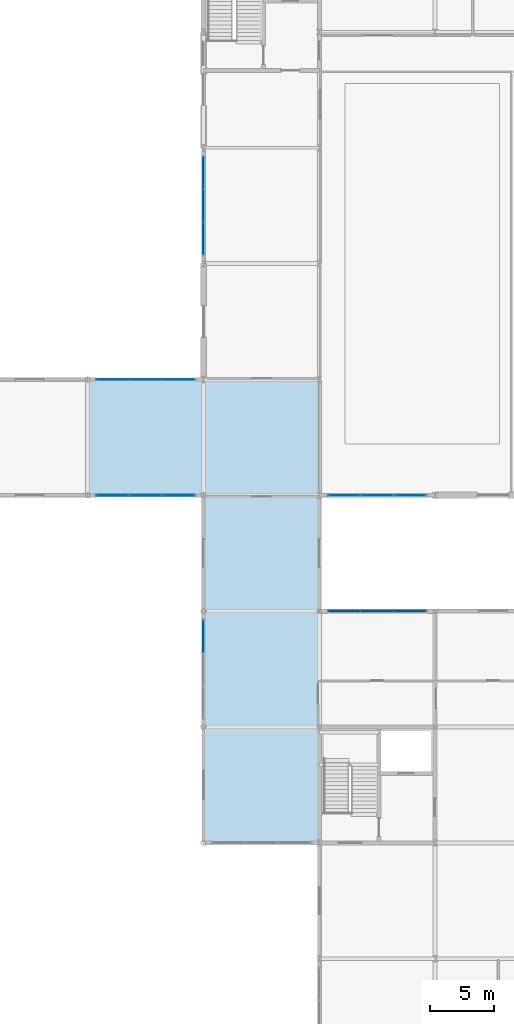
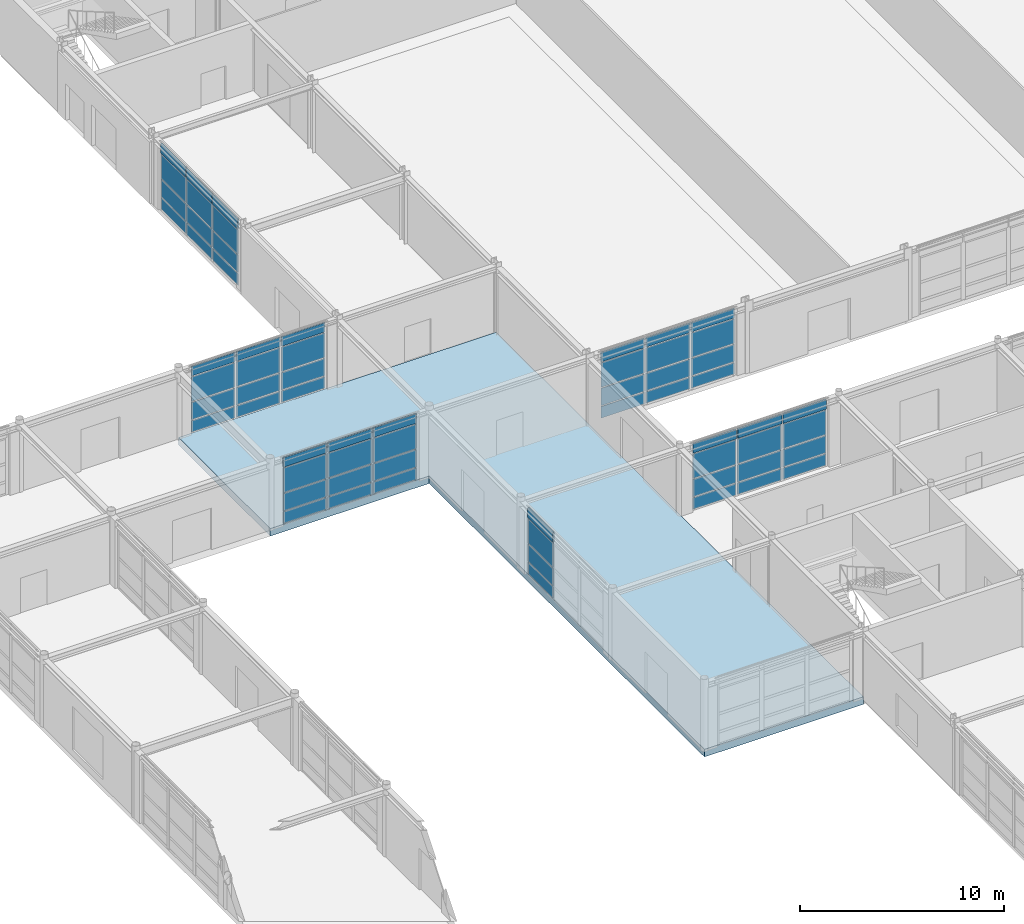
# One storey, part 50 of 72: 64 plates, 1 slab, 6 elements without a shape of their own.
"""IFC4 building model written with IfcOpenShell, lengths in metres."""

from ifc_helpers import new_model, si_unit, direction, frame, origin, origin_2d, place, context, subcontext, project, spatial, polyline, rectangle, outline, extrude, material, layer, layer_set, type_object, element, aggregate, save


model = new_model("IFC4")

# Units and contexts
model_context = context("Model", 3, precision=1e-05, world=origin(), true_north=direction((0.0, 1.0)))
body_context = subcontext(model_context, "Body", "Model", "MODEL_VIEW")
ifc_project = project(units=[si_unit("LENGTHUNIT", "METRE"), si_unit("AREAUNIT", "SQUARE_METRE"), si_unit("VOLUMEUNIT", "CUBIC_METRE"), si_unit("PLANEANGLEUNIT", "RADIAN"), si_unit("MASSUNIT", "GRAM", prefix="KILO")], contexts=[model_context])

# Site, building, storey
site_placement = place(None, origin())
site = spatial("IfcSite", under=ifc_project, at=site_placement, CompositionType="ELEMENT")
building_placement = place(site_placement, origin())
building = spatial("IfcBuilding", under=site, at=building_placement, Name="Palais des Congres Ocreval", CompositionType="ELEMENT")
storey_placement = place(building_placement, origin())
storey = spatial("IfcBuildingStorey", under=building, at=storey_placement, Name="L00", CompositionType="ELEMENT", Elevation=0.0)

# Curtain wall, plates
ifc_material_1 = material(Name="Anodized bronze aluminium and low-E glass", Category="glass")
curtain_wall_type = type_object("IfcCurtainWallType", Name="Unitised Curtain Wall 7900x4060", PredefinedType="USERDEFINED", material=ifc_material_1)
curtain_wall_1_placement = place(storey_placement, origin())
curtain_wall_1 = element("IfcCurtainWall", 1, at=curtain_wall_1_placement, inside=storey, type_object=curtain_wall_type, Name="Unitised Curtain Wall CW01 L00", ObjectType="UNITISED CURTAIN WALL", PredefinedType="USERDEFINED")
ifc_material_2 = material(Name="Acoustic triple glazing", Category="glass")
ifc_layer_1 = layer(ifc_material_2, 0.0439453125)
ifc_layer_set_1 = layer_set([ifc_layer_1], Name="Acoustic Laminated Glazing Panel 44 (Acoustic triple glazing)")
plate_type_1 = type_object("IfcPlateType", Name="Acoustic Laminated Glazing Panel 44", PredefinedType="CURTAIN_PANEL", material=ifc_layer_set_1)
plate_1_placement = place(storey_placement, frame((97.0478515625, 72.0, 0.06005859375), z_axis=(0.0, 0.0, 1.0), x_axis=(-1.0, 0.0, 0.0)))
plate_1 = element("IfcPlate", 2, at=plate_1_placement, type_object=plate_type_1, Name="Vision Glazing Panel VP02", PredefinedType="CURTAIN_PANEL", context=body_context, shape_type="SweptSolid", body=[
    extrude(rectangle(XDim=2.4541015625, YDim=0.0439453125, at=origin_2d()), origin(), (0.0, 0.0, 1.0), 0.68994140625),
])
plate_2_placement = place(storey_placement, frame((97.0478515625, 72.0, 0.81005859375), z_axis=(0.0, 0.0, 1.0), x_axis=(-1.0, 0.0, 0.0)))
plate_2 = element("IfcPlate", 3, at=plate_2_placement, type_object=plate_type_1, Name="Vision Glazing Panel VP02", PredefinedType="CURTAIN_PANEL", context=body_context, shape_type="SweptSolid", body=[
    extrude(rectangle(XDim=2.4541015625, YDim=0.0439453125, at=origin_2d()), origin(), (0.0, 0.0, 1.0), 1.03271484375),
])
plate_3_placement = place(storey_placement, frame((97.0478515625, 72.0, 1.90283203125), z_axis=(0.0, 0.0, 1.0), x_axis=(-1.0, 0.0, 0.0)))
plate_3 = element("IfcPlate", 4, at=plate_3_placement, type_object=plate_type_1, Name="Vision Glazing Panel VP02", PredefinedType="CURTAIN_PANEL", context=body_context, shape_type="SweptSolid", body=[
    extrude(rectangle(XDim=2.4541015625, YDim=0.0439453125, at=origin_2d()), origin(), (0.0, 0.0, 1.0), 1.47216796875),
])
plate_4_placement = place(storey_placement, frame((94.5, 72.0, 0.06005859375), z_axis=(0.0, 0.0, 1.0), x_axis=(-1.0, 0.0, 0.0)))
plate_4 = element("IfcPlate", 5, at=plate_4_placement, type_object=plate_type_1, Name="Vision Glazing Panel VP02", PredefinedType="CURTAIN_PANEL", context=body_context, shape_type="SweptSolid", body=[
    extrude(rectangle(XDim=2.49169921875, YDim=0.0439453125, at=origin_2d()), origin(), (0.0, 0.0, 1.0), 0.68994140625),
])
plate_5_placement = place(storey_placement, frame((94.5, 72.0, 0.81005859375), z_axis=(0.0, 0.0, 1.0), x_axis=(-1.0, 0.0, 0.0)))
plate_5 = element("IfcPlate", 6, at=plate_5_placement, type_object=plate_type_1, Name="Vision Glazing Panel VP02", PredefinedType="CURTAIN_PANEL", context=body_context, shape_type="SweptSolid", body=[
    extrude(rectangle(XDim=2.49169921875, YDim=0.0439453125, at=origin_2d()), origin(), (0.0, 0.0, 1.0), 1.03271484375),
])
plate_6_placement = place(storey_placement, frame((94.5, 72.0, 1.90283203125), z_axis=(0.0, 0.0, 1.0), x_axis=(-1.0, 0.0, 0.0)))
plate_6 = element("IfcPlate", 7, at=plate_6_placement, type_object=plate_type_1, Name="Vision Glazing Panel VP02", PredefinedType="CURTAIN_PANEL", context=body_context, shape_type="SweptSolid", body=[
    extrude(rectangle(XDim=2.49169921875, YDim=0.0439453125, at=origin_2d()), origin(), (0.0, 0.0, 1.0), 1.47216796875),
])
plate_7_placement = place(storey_placement, frame((91.9521484375, 72.0, 0.06005859375), z_axis=(0.0, 0.0, 1.0), x_axis=(-1.0, 0.0, 0.0)))
plate_7 = element("IfcPlate", 8, at=plate_7_placement, type_object=plate_type_1, Name="Vision Glazing Panel VP02", PredefinedType="CURTAIN_PANEL", context=body_context, shape_type="SweptSolid", body=[
    extrude(rectangle(XDim=2.4541015625, YDim=0.0439453125, at=origin_2d()), origin(), (0.0, 0.0, 1.0), 0.68994140625),
])
plate_8_placement = place(storey_placement, frame((91.9521484375, 72.0, 0.81005859375), z_axis=(0.0, 0.0, 1.0), x_axis=(-1.0, 0.0, 0.0)))
plate_8 = element("IfcPlate", 9, at=plate_8_placement, type_object=plate_type_1, Name="Vision Glazing Panel VP02", PredefinedType="CURTAIN_PANEL", context=body_context, shape_type="SweptSolid", body=[
    extrude(rectangle(XDim=2.4541015625, YDim=0.0439453125, at=origin_2d()), origin(), (0.0, 0.0, 1.0), 1.03271484375),
])
plate_9_placement = place(storey_placement, frame((91.9521484375, 72.0, 1.90283203125), z_axis=(0.0, 0.0, 1.0), x_axis=(-1.0, 0.0, 0.0)))
plate_9 = element("IfcPlate", 10, at=plate_9_placement, type_object=plate_type_1, Name="Vision Glazing Panel VP02", PredefinedType="CURTAIN_PANEL", context=body_context, shape_type="SweptSolid", body=[
    extrude(rectangle(XDim=2.4541015625, YDim=0.0439453125, at=origin_2d()), origin(), (0.0, 0.0, 1.0), 1.47216796875),
])

curtain_wall_2_placement = place(storey_placement, origin())
curtain_wall_2 = element("IfcCurtainWall", 11, at=curtain_wall_2_placement, inside=storey, type_object=curtain_wall_type, Name="Unitised Curtain Wall CW01 L00", ObjectType="UNITISED CURTAIN WALL", PredefinedType="USERDEFINED")
ifc_material_3 = material(Name="Anodized bronze aluminium", Category="aluminium")
ifc_layer_2 = layer(ifc_material_3, 0.06005859375)
ifc_layer_set_2 = layer_set([ifc_layer_2], Name="Anodized Bronze Spandrel Cassette 60 (Anodized bronze aluminium)")
plate_type_2 = type_object("IfcPlateType", Name="Anodized Bronze Spandrel Cassette 60", PredefinedType="SHEET", material=ifc_layer_set_2)
plate_10_placement = place(storey_placement, frame((91.9521484375, 81.0, 3.43505859375), z_axis=(0.0, 0.0, 1.0), x_axis=(1.0, 0.0, 0.0)))
plate_10 = element("IfcPlate", 12, at=plate_10_placement, type_object=plate_type_2, Name="Spandrel Sheet SPN1", PredefinedType="SHEET", context=body_context, shape_type="SweptSolid", body=[
    extrude(rectangle(XDim=2.4541015625, YDim=0.06005859375, at=origin_2d()), origin(), (0.0, 0.0, 1.0), 0.56005859375),
])
plate_11_placement = place(storey_placement, frame((94.5, 81.0, 3.43505859375), z_axis=(0.0, 0.0, 1.0), x_axis=(1.0, 0.0, 0.0)))
plate_11 = element("IfcPlate", 13, at=plate_11_placement, type_object=plate_type_2, Name="Spandrel Sheet SPN1", PredefinedType="SHEET", context=body_context, shape_type="SweptSolid", body=[
    extrude(rectangle(XDim=2.49169921875, YDim=0.06005859375, at=origin_2d()), origin(), (0.0, 0.0, 1.0), 0.56005859375),
])
plate_12_placement = place(storey_placement, frame((97.0478515625, 81.0, 3.43505859375), z_axis=(0.0, 0.0, 1.0), x_axis=(1.0, 0.0, 0.0)))
plate_12 = element("IfcPlate", 14, at=plate_12_placement, type_object=plate_type_2, Name="Spandrel Sheet SPN1", PredefinedType="SHEET", context=body_context, shape_type="SweptSolid", body=[
    extrude(rectangle(XDim=2.4541015625, YDim=0.06005859375, at=origin_2d()), origin(), (0.0, 0.0, 1.0), 0.56005859375),
])

curtain_wall_3_placement = place(storey_placement, origin())
curtain_wall_3 = element("IfcCurtainWall", 15, at=curtain_wall_3_placement, inside=storey, type_object=curtain_wall_type, Name="Unitised Curtain Wall CW01 L00", ObjectType="UNITISED CURTAIN WALL", PredefinedType="USERDEFINED")
plate_13_placement = place(storey_placement, frame((115.0478515625, 72.0, 3.43505859375), z_axis=(0.0, 0.0, 1.0), x_axis=(-1.0, 0.0, 0.0)))
plate_13 = element("IfcPlate", 16, at=plate_13_placement, type_object=plate_type_2, Name="Spandrel Sheet SPN1", PredefinedType="SHEET", context=body_context, shape_type="SweptSolid", body=[
    extrude(rectangle(XDim=2.4541015625, YDim=0.06005859375, at=origin_2d()), origin(), (0.0, 0.0, 1.0), 0.56005859375),
])
plate_14_placement = place(storey_placement, frame((112.5, 72.0, 3.43505859375), z_axis=(0.0, 0.0, 1.0), x_axis=(-1.0, 0.0, 0.0)))
plate_14 = element("IfcPlate", 17, at=plate_14_placement, type_object=plate_type_2, Name="Spandrel Sheet SPN1", PredefinedType="SHEET", context=body_context, shape_type="SweptSolid", body=[
    extrude(rectangle(XDim=2.49169921875, YDim=0.06005859375, at=origin_2d()), origin(), (0.0, 0.0, 1.0), 0.56005859375),
])
plate_15_placement = place(storey_placement, frame((109.9521484375, 72.0, 3.43505859375), z_axis=(0.0, 0.0, 1.0), x_axis=(-1.0, 0.0, 0.0)))
plate_15 = element("IfcPlate", 18, at=plate_15_placement, type_object=plate_type_2, Name="Spandrel Sheet SPN1", PredefinedType="SHEET", context=body_context, shape_type="SweptSolid", body=[
    extrude(rectangle(XDim=2.4541015625, YDim=0.06005859375, at=origin_2d()), origin(), (0.0, 0.0, 1.0), 0.56005859375),
])

# Plate
plate_16_placement = place(storey_placement, frame((97.0478515625, 72.0, 3.43505859375), z_axis=(0.0, 0.0, 1.0), x_axis=(-1.0, 0.0, 0.0)))
plate_16 = element("IfcPlate", 19, at=plate_16_placement, type_object=plate_type_2, Name="Spandrel Sheet SPN1", PredefinedType="SHEET", context=body_context, shape_type="SweptSolid", body=[
    extrude(rectangle(XDim=2.4541015625, YDim=0.06005859375, at=origin_2d()), origin(), (0.0, 0.0, 1.0), 0.56005859375),
])

plate_17_placement = place(storey_placement, frame((94.5, 72.0, 3.43505859375), z_axis=(0.0, 0.0, 1.0), x_axis=(-1.0, 0.0, 0.0)))
plate_17 = element("IfcPlate", 20, at=plate_17_placement, type_object=plate_type_2, Name="Spandrel Sheet SPN1", PredefinedType="SHEET", context=body_context, shape_type="SweptSolid", body=[
    extrude(rectangle(XDim=2.49169921875, YDim=0.06005859375, at=origin_2d()), origin(), (0.0, 0.0, 1.0), 0.56005859375),
])

plate_18_placement = place(storey_placement, frame((91.9521484375, 72.0, 3.43505859375), z_axis=(0.0, 0.0, 1.0), x_axis=(-1.0, 0.0, 0.0)))
plate_18 = element("IfcPlate", 21, at=plate_18_placement, type_object=plate_type_2, Name="Spandrel Sheet SPN1", PredefinedType="SHEET", context=body_context, shape_type="SweptSolid", body=[
    extrude(rectangle(XDim=2.4541015625, YDim=0.06005859375, at=origin_2d()), origin(), (0.0, 0.0, 1.0), 0.56005859375),
])

aggregate(curtain_wall_1, [plate_1, plate_2, plate_3, plate_16, plate_4, plate_5, plate_6, plate_17, plate_7, plate_8, plate_9, plate_18])

ifc_material_4 = material(Name="Low-E solar-control double glazing", Category="glass")
ifc_layer_3 = layer(ifc_material_4, 0.031982421875)
ifc_layer_set_3 = layer_set([ifc_layer_3], Name="Galleria Clear Vision Panel 32 (Low-E solar-control double glazing)")
plate_type_3 = type_object("IfcPlateType", Name="Galleria Clear Vision Panel 32", PredefinedType="CURTAIN_PANEL", material=ifc_layer_set_3)
plate_19_placement = place(storey_placement, frame((91.9521484375, 81.0, 0.06005859375), z_axis=(0.0, 0.0, 1.0), x_axis=(1.0, 0.0, 0.0)))
plate_19 = element("IfcPlate", 22, at=plate_19_placement, type_object=plate_type_3, Name="Vision Glazing Panel VP03", PredefinedType="CURTAIN_PANEL", context=body_context, shape_type="SweptSolid", body=[
    extrude(rectangle(XDim=2.4541015625, YDim=0.031982421875, at=origin_2d()), origin(), (0.0, 0.0, 1.0), 0.68994140625),
])

plate_20_placement = place(storey_placement, frame((91.9521484375, 81.0, 0.81005859375), z_axis=(0.0, 0.0, 1.0), x_axis=(1.0, 0.0, 0.0)))
plate_20 = element("IfcPlate", 23, at=plate_20_placement, type_object=plate_type_3, Name="Vision Glazing Panel VP03", PredefinedType="CURTAIN_PANEL", context=body_context, shape_type="SweptSolid", body=[
    extrude(rectangle(XDim=2.4541015625, YDim=0.031982421875, at=origin_2d()), origin(), (0.0, 0.0, 1.0), 1.03271484375),
])

plate_21_placement = place(storey_placement, frame((91.9521484375, 81.0, 1.90283203125), z_axis=(0.0, 0.0, 1.0), x_axis=(1.0, 0.0, 0.0)))
plate_21 = element("IfcPlate", 24, at=plate_21_placement, type_object=plate_type_3, Name="Vision Glazing Panel VP03", PredefinedType="CURTAIN_PANEL", context=body_context, shape_type="SweptSolid", body=[
    extrude(rectangle(XDim=2.4541015625, YDim=0.031982421875, at=origin_2d()), origin(), (0.0, 0.0, 1.0), 1.47216796875),
])

plate_22_placement = place(storey_placement, frame((94.5, 81.0, 0.06005859375), z_axis=(0.0, 0.0, 1.0), x_axis=(1.0, 0.0, 0.0)))
plate_22 = element("IfcPlate", 25, at=plate_22_placement, type_object=plate_type_3, Name="Vision Glazing Panel VP03", PredefinedType="CURTAIN_PANEL", context=body_context, shape_type="SweptSolid", body=[
    extrude(rectangle(XDim=2.49169921875, YDim=0.031982421875, at=origin_2d()), origin(), (0.0, 0.0, 1.0), 0.68994140625),
])

plate_23_placement = place(storey_placement, frame((94.5, 81.0, 0.81005859375), z_axis=(0.0, 0.0, 1.0), x_axis=(1.0, 0.0, 0.0)))
plate_23 = element("IfcPlate", 26, at=plate_23_placement, type_object=plate_type_3, Name="Vision Glazing Panel VP03", PredefinedType="CURTAIN_PANEL", context=body_context, shape_type="SweptSolid", body=[
    extrude(rectangle(XDim=2.49169921875, YDim=0.031982421875, at=origin_2d()), origin(), (0.0, 0.0, 1.0), 1.03271484375),
])

plate_24_placement = place(storey_placement, frame((94.5, 81.0, 1.90283203125), z_axis=(0.0, 0.0, 1.0), x_axis=(1.0, 0.0, 0.0)))
plate_24 = element("IfcPlate", 27, at=plate_24_placement, type_object=plate_type_3, Name="Vision Glazing Panel VP03", PredefinedType="CURTAIN_PANEL", context=body_context, shape_type="SweptSolid", body=[
    extrude(rectangle(XDim=2.49169921875, YDim=0.031982421875, at=origin_2d()), origin(), (0.0, 0.0, 1.0), 1.47216796875),
])

plate_25_placement = place(storey_placement, frame((97.0478515625, 81.0, 0.06005859375), z_axis=(0.0, 0.0, 1.0), x_axis=(1.0, 0.0, 0.0)))
plate_25 = element("IfcPlate", 28, at=plate_25_placement, type_object=plate_type_3, Name="Vision Glazing Panel VP03", PredefinedType="CURTAIN_PANEL", context=body_context, shape_type="SweptSolid", body=[
    extrude(rectangle(XDim=2.4541015625, YDim=0.031982421875, at=origin_2d()), origin(), (0.0, 0.0, 1.0), 0.68994140625),
])

plate_26_placement = place(storey_placement, frame((97.0478515625, 81.0, 0.81005859375), z_axis=(0.0, 0.0, 1.0), x_axis=(1.0, 0.0, 0.0)))
plate_26 = element("IfcPlate", 29, at=plate_26_placement, type_object=plate_type_3, Name="Vision Glazing Panel VP03", PredefinedType="CURTAIN_PANEL", context=body_context, shape_type="SweptSolid", body=[
    extrude(rectangle(XDim=2.4541015625, YDim=0.031982421875, at=origin_2d()), origin(), (0.0, 0.0, 1.0), 1.03271484375),
])

plate_27_placement = place(storey_placement, frame((97.0478515625, 81.0, 1.90283203125), z_axis=(0.0, 0.0, 1.0), x_axis=(1.0, 0.0, 0.0)))
plate_27 = element("IfcPlate", 30, at=plate_27_placement, type_object=plate_type_3, Name="Vision Glazing Panel VP03", PredefinedType="CURTAIN_PANEL", context=body_context, shape_type="SweptSolid", body=[
    extrude(rectangle(XDim=2.4541015625, YDim=0.031982421875, at=origin_2d()), origin(), (0.0, 0.0, 1.0), 1.47216796875),
])

aggregate(curtain_wall_2, [plate_19, plate_20, plate_21, plate_10, plate_22, plate_23, plate_24, plate_11, plate_25, plate_26, plate_27, plate_12])

plate_28_placement = place(storey_placement, frame((115.0478515625, 72.0, 0.06005859375), z_axis=(0.0, 0.0, 1.0), x_axis=(-1.0, 0.0, 0.0)))
plate_28 = element("IfcPlate", 31, at=plate_28_placement, type_object=plate_type_3, Name="Vision Glazing Panel VP03", PredefinedType="CURTAIN_PANEL", context=body_context, shape_type="SweptSolid", body=[
    extrude(rectangle(XDim=2.4541015625, YDim=0.031982421875, at=origin_2d()), origin(), (0.0, 0.0, 1.0), 0.68994140625),
])

plate_29_placement = place(storey_placement, frame((115.0478515625, 72.0, 0.81005859375), z_axis=(0.0, 0.0, 1.0), x_axis=(-1.0, 0.0, 0.0)))
plate_29 = element("IfcPlate", 32, at=plate_29_placement, type_object=plate_type_3, Name="Vision Glazing Panel VP03", PredefinedType="CURTAIN_PANEL", context=body_context, shape_type="SweptSolid", body=[
    extrude(rectangle(XDim=2.4541015625, YDim=0.031982421875, at=origin_2d()), origin(), (0.0, 0.0, 1.0), 1.03271484375),
])

plate_30_placement = place(storey_placement, frame((115.0478515625, 72.0, 1.90283203125), z_axis=(0.0, 0.0, 1.0), x_axis=(-1.0, 0.0, 0.0)))
plate_30 = element("IfcPlate", 33, at=plate_30_placement, type_object=plate_type_3, Name="Vision Glazing Panel VP03", PredefinedType="CURTAIN_PANEL", context=body_context, shape_type="SweptSolid", body=[
    extrude(rectangle(XDim=2.4541015625, YDim=0.031982421875, at=origin_2d()), origin(), (0.0, 0.0, 1.0), 1.47216796875),
])

plate_31_placement = place(storey_placement, frame((112.5, 72.0, 0.06005859375), z_axis=(0.0, 0.0, 1.0), x_axis=(-1.0, 0.0, 0.0)))
plate_31 = element("IfcPlate", 34, at=plate_31_placement, type_object=plate_type_3, Name="Vision Glazing Panel VP03", PredefinedType="CURTAIN_PANEL", context=body_context, shape_type="SweptSolid", body=[
    extrude(rectangle(XDim=2.49169921875, YDim=0.031982421875, at=origin_2d()), origin(), (0.0, 0.0, 1.0), 0.68994140625),
])

plate_32_placement = place(storey_placement, frame((112.5, 72.0, 0.81005859375), z_axis=(0.0, 0.0, 1.0), x_axis=(-1.0, 0.0, 0.0)))
plate_32 = element("IfcPlate", 35, at=plate_32_placement, type_object=plate_type_3, Name="Vision Glazing Panel VP03", PredefinedType="CURTAIN_PANEL", context=body_context, shape_type="SweptSolid", body=[
    extrude(rectangle(XDim=2.49169921875, YDim=0.031982421875, at=origin_2d()), origin(), (0.0, 0.0, 1.0), 1.03271484375),
])

plate_33_placement = place(storey_placement, frame((112.5, 72.0, 1.90283203125), z_axis=(0.0, 0.0, 1.0), x_axis=(-1.0, 0.0, 0.0)))
plate_33 = element("IfcPlate", 36, at=plate_33_placement, type_object=plate_type_3, Name="Vision Glazing Panel VP03", PredefinedType="CURTAIN_PANEL", context=body_context, shape_type="SweptSolid", body=[
    extrude(rectangle(XDim=2.49169921875, YDim=0.031982421875, at=origin_2d()), origin(), (0.0, 0.0, 1.0), 1.47216796875),
])

plate_34_placement = place(storey_placement, frame((109.9521484375, 72.0, 0.06005859375), z_axis=(0.0, 0.0, 1.0), x_axis=(-1.0, 0.0, 0.0)))
plate_34 = element("IfcPlate", 37, at=plate_34_placement, type_object=plate_type_3, Name="Vision Glazing Panel VP03", PredefinedType="CURTAIN_PANEL", context=body_context, shape_type="SweptSolid", body=[
    extrude(rectangle(XDim=2.4541015625, YDim=0.031982421875, at=origin_2d()), origin(), (0.0, 0.0, 1.0), 0.68994140625),
])

plate_35_placement = place(storey_placement, frame((109.9521484375, 72.0, 0.81005859375), z_axis=(0.0, 0.0, 1.0), x_axis=(-1.0, 0.0, 0.0)))
plate_35 = element("IfcPlate", 38, at=plate_35_placement, type_object=plate_type_3, Name="Vision Glazing Panel VP03", PredefinedType="CURTAIN_PANEL", context=body_context, shape_type="SweptSolid", body=[
    extrude(rectangle(XDim=2.4541015625, YDim=0.031982421875, at=origin_2d()), origin(), (0.0, 0.0, 1.0), 1.03271484375),
])

plate_36_placement = place(storey_placement, frame((109.9521484375, 72.0, 1.90283203125), z_axis=(0.0, 0.0, 1.0), x_axis=(-1.0, 0.0, 0.0)))
plate_36 = element("IfcPlate", 39, at=plate_36_placement, type_object=plate_type_3, Name="Vision Glazing Panel VP03", PredefinedType="CURTAIN_PANEL", context=body_context, shape_type="SweptSolid", body=[
    extrude(rectangle(XDim=2.4541015625, YDim=0.031982421875, at=origin_2d()), origin(), (0.0, 0.0, 1.0), 1.47216796875),
])

aggregate(curtain_wall_3, [plate_28, plate_29, plate_30, plate_13, plate_31, plate_32, plate_33, plate_14, plate_34, plate_35, plate_36, plate_15])

# Slab
ifc_material_5 = material(Name="Concrete C40/50", Category="concrete")
ifc_layer_4 = layer(ifc_material_5, 0.449951171875)
ifc_layer_set_4 = layer_set([ifc_layer_4], Name="Hydrotherapy Pool and Cistern Slab 450 Concrete C40/50")
slab_type = type_object("IfcSlabType", Name="Hydrotherapy Pool and Cistern Slab 450 Concrete C40/50", PredefinedType="FLOOR", material=ifc_layer_set_4)
slab_placement = place(storey_placement, frame((0.0, 0.0, -0.449951171875)))
element("IfcSlab", 40, at=slab_placement, inside=storey, type_object=slab_type, Name="Floor Slab SL03 L00 V5-6", PredefinedType="FLOOR", context=body_context, shape_type="SweptSolid", body=[
    extrude(outline(polyline([(99.0, 81.0), (108.0, 81.0), (108.0, 72.0), (108.0, 63.0), (108.0, 45.0), (99.0, 45.0), (99.0, 72.0), (90.0, 72.0), (90.0, 81.0), (99.0, 81.0)])), origin(), (0.0, 0.0, 1.0), 0.449951171875),
])

# Curtain wall, plates
curtain_wall_4_placement = place(storey_placement, origin())
curtain_wall_4 = element("IfcCurtainWall", 41, at=curtain_wall_4_placement, inside=storey, type_object=curtain_wall_type, Name="Unitised Curtain Wall CW01 L00", ObjectType="UNITISED CURTAIN WALL", PredefinedType="USERDEFINED")
ifc_layer_5 = layer(ifc_material_4, 0.035888671875)
ifc_layer_set_5 = layer_set([ifc_layer_5], Name="Low-E Vision Glazing Panel 36 (Low-E solar-control double glazing)")
plate_type_4 = type_object("IfcPlateType", Name="Low-E Vision Glazing Panel 36", PredefinedType="CURTAIN_PANEL", material=ifc_layer_set_5)
plate_37_placement = place(storey_placement, frame((99.0, 91.9521484375, 0.06005859375), z_axis=(0.0, 0.0, 1.0), x_axis=(0.0, 1.0, 0.0)))
plate_37 = element("IfcPlate", 42, at=plate_37_placement, type_object=plate_type_4, Name="Vision Glazing Panel VP01", PredefinedType="CURTAIN_PANEL", context=body_context, shape_type="SweptSolid", body=[
    extrude(rectangle(XDim=2.4541015625, YDim=0.035888671875, at=origin_2d()), origin(), (0.0, 0.0, 1.0), 0.68994140625),
])
plate_38_placement = place(storey_placement, frame((99.0, 91.9521484375, 0.81005859375), z_axis=(0.0, 0.0, 1.0), x_axis=(0.0, 1.0, 0.0)))
plate_38 = element("IfcPlate", 43, at=plate_38_placement, type_object=plate_type_4, Name="Vision Glazing Panel VP01", PredefinedType="CURTAIN_PANEL", context=body_context, shape_type="SweptSolid", body=[
    extrude(rectangle(XDim=2.4541015625, YDim=0.035888671875, at=origin_2d()), origin(), (0.0, 0.0, 1.0), 1.03271484375),
])
plate_39_placement = place(storey_placement, frame((99.0, 91.9521484375, 1.90283203125), z_axis=(0.0, 0.0, 1.0), x_axis=(0.0, 1.0, 0.0)))
plate_39 = element("IfcPlate", 44, at=plate_39_placement, type_object=plate_type_4, Name="Vision Glazing Panel VP01", PredefinedType="CURTAIN_PANEL", context=body_context, shape_type="SweptSolid", body=[
    extrude(rectangle(XDim=2.4541015625, YDim=0.035888671875, at=origin_2d()), origin(), (0.0, 0.0, 1.0), 1.47216796875),
])
plate_40_placement = place(storey_placement, frame((99.0, 94.5, 0.06005859375), z_axis=(0.0, 0.0, 1.0), x_axis=(0.0, 1.0, 0.0)))
plate_40 = element("IfcPlate", 45, at=plate_40_placement, type_object=plate_type_4, Name="Vision Glazing Panel VP01", PredefinedType="CURTAIN_PANEL", context=body_context, shape_type="SweptSolid", body=[
    extrude(rectangle(XDim=2.49169921875, YDim=0.035888671875, at=origin_2d()), origin(), (0.0, 0.0, 1.0), 0.68994140625),
])
plate_41_placement = place(storey_placement, frame((99.0, 94.5, 0.81005859375), z_axis=(0.0, 0.0, 1.0), x_axis=(0.0, 1.0, 0.0)))
plate_41 = element("IfcPlate", 46, at=plate_41_placement, type_object=plate_type_4, Name="Vision Glazing Panel VP01", PredefinedType="CURTAIN_PANEL", context=body_context, shape_type="SweptSolid", body=[
    extrude(rectangle(XDim=2.49169921875, YDim=0.035888671875, at=origin_2d()), origin(), (0.0, 0.0, 1.0), 1.03271484375),
])
plate_42_placement = place(storey_placement, frame((99.0, 94.5, 1.90283203125), z_axis=(0.0, 0.0, 1.0), x_axis=(0.0, 1.0, 0.0)))
plate_42 = element("IfcPlate", 47, at=plate_42_placement, type_object=plate_type_4, Name="Vision Glazing Panel VP01", PredefinedType="CURTAIN_PANEL", context=body_context, shape_type="SweptSolid", body=[
    extrude(rectangle(XDim=2.49169921875, YDim=0.035888671875, at=origin_2d()), origin(), (0.0, 0.0, 1.0), 1.47216796875),
])
plate_43_placement = place(storey_placement, frame((99.0, 97.0478515625, 0.06005859375), z_axis=(0.0, 0.0, 1.0), x_axis=(0.0, 1.0, 0.0)))
plate_43 = element("IfcPlate", 48, at=plate_43_placement, type_object=plate_type_4, Name="Vision Glazing Panel VP01", PredefinedType="CURTAIN_PANEL", context=body_context, shape_type="SweptSolid", body=[
    extrude(rectangle(XDim=2.4541015625, YDim=0.035888671875, at=origin_2d()), origin(), (0.0, 0.0, 1.0), 0.68994140625),
])
plate_44_placement = place(storey_placement, frame((99.0, 97.0478515625, 0.81005859375), z_axis=(0.0, 0.0, 1.0), x_axis=(0.0, 1.0, 0.0)))
plate_44 = element("IfcPlate", 49, at=plate_44_placement, type_object=plate_type_4, Name="Vision Glazing Panel VP01", PredefinedType="CURTAIN_PANEL", context=body_context, shape_type="SweptSolid", body=[
    extrude(rectangle(XDim=2.4541015625, YDim=0.035888671875, at=origin_2d()), origin(), (0.0, 0.0, 1.0), 1.03271484375),
])
plate_45_placement = place(storey_placement, frame((99.0, 97.0478515625, 1.90283203125), z_axis=(0.0, 0.0, 1.0), x_axis=(0.0, 1.0, 0.0)))
plate_45 = element("IfcPlate", 50, at=plate_45_placement, type_object=plate_type_4, Name="Vision Glazing Panel VP01", PredefinedType="CURTAIN_PANEL", context=body_context, shape_type="SweptSolid", body=[
    extrude(rectangle(XDim=2.4541015625, YDim=0.035888671875, at=origin_2d()), origin(), (0.0, 0.0, 1.0), 1.47216796875),
])

curtain_wall_5_placement = place(storey_placement, origin())
curtain_wall_5 = element("IfcCurtainWall", 51, at=curtain_wall_5_placement, inside=storey, type_object=curtain_wall_type, Name="Unitised Curtain Wall CW01 L00", ObjectType="UNITISED CURTAIN WALL", PredefinedType="USERDEFINED")
plate_46_placement = place(storey_placement, frame((109.9521484375, 63.0, 0.06005859375), z_axis=(0.0, 0.0, 1.0), x_axis=(1.0, 0.0, 0.0)))
plate_46 = element("IfcPlate", 52, at=plate_46_placement, type_object=plate_type_4, Name="Vision Glazing Panel VP01", PredefinedType="CURTAIN_PANEL", context=body_context, shape_type="SweptSolid", body=[
    extrude(rectangle(XDim=2.4541015625, YDim=0.035888671875, at=origin_2d()), origin(), (0.0, 0.0, 1.0), 0.68994140625),
])
plate_47_placement = place(storey_placement, frame((109.9521484375, 63.0, 0.81005859375), z_axis=(0.0, 0.0, 1.0), x_axis=(1.0, 0.0, 0.0)))
plate_47 = element("IfcPlate", 53, at=plate_47_placement, type_object=plate_type_4, Name="Vision Glazing Panel VP01", PredefinedType="CURTAIN_PANEL", context=body_context, shape_type="SweptSolid", body=[
    extrude(rectangle(XDim=2.4541015625, YDim=0.035888671875, at=origin_2d()), origin(), (0.0, 0.0, 1.0), 1.03271484375),
])
plate_48_placement = place(storey_placement, frame((109.9521484375, 63.0, 1.90283203125), z_axis=(0.0, 0.0, 1.0), x_axis=(1.0, 0.0, 0.0)))
plate_48 = element("IfcPlate", 54, at=plate_48_placement, type_object=plate_type_4, Name="Vision Glazing Panel VP01", PredefinedType="CURTAIN_PANEL", context=body_context, shape_type="SweptSolid", body=[
    extrude(rectangle(XDim=2.4541015625, YDim=0.035888671875, at=origin_2d()), origin(), (0.0, 0.0, 1.0), 1.47216796875),
])
plate_49_placement = place(storey_placement, frame((112.5, 63.0, 0.06005859375), z_axis=(0.0, 0.0, 1.0), x_axis=(1.0, 0.0, 0.0)))
plate_49 = element("IfcPlate", 55, at=plate_49_placement, type_object=plate_type_4, Name="Vision Glazing Panel VP01", PredefinedType="CURTAIN_PANEL", context=body_context, shape_type="SweptSolid", body=[
    extrude(rectangle(XDim=2.49169921875, YDim=0.035888671875, at=origin_2d()), origin(), (0.0, 0.0, 1.0), 0.68994140625),
])
plate_50_placement = place(storey_placement, frame((112.5, 63.0, 0.81005859375), z_axis=(0.0, 0.0, 1.0), x_axis=(1.0, 0.0, 0.0)))
plate_50 = element("IfcPlate", 56, at=plate_50_placement, type_object=plate_type_4, Name="Vision Glazing Panel VP01", PredefinedType="CURTAIN_PANEL", context=body_context, shape_type="SweptSolid", body=[
    extrude(rectangle(XDim=2.49169921875, YDim=0.035888671875, at=origin_2d()), origin(), (0.0, 0.0, 1.0), 1.03271484375),
])
plate_51_placement = place(storey_placement, frame((112.5, 63.0, 1.90283203125), z_axis=(0.0, 0.0, 1.0), x_axis=(1.0, 0.0, 0.0)))
plate_51 = element("IfcPlate", 57, at=plate_51_placement, type_object=plate_type_4, Name="Vision Glazing Panel VP01", PredefinedType="CURTAIN_PANEL", context=body_context, shape_type="SweptSolid", body=[
    extrude(rectangle(XDim=2.49169921875, YDim=0.035888671875, at=origin_2d()), origin(), (0.0, 0.0, 1.0), 1.47216796875),
])
plate_52_placement = place(storey_placement, frame((115.0478515625, 63.0, 0.06005859375), z_axis=(0.0, 0.0, 1.0), x_axis=(1.0, 0.0, 0.0)))
plate_52 = element("IfcPlate", 58, at=plate_52_placement, type_object=plate_type_4, Name="Vision Glazing Panel VP01", PredefinedType="CURTAIN_PANEL", context=body_context, shape_type="SweptSolid", body=[
    extrude(rectangle(XDim=2.4541015625, YDim=0.035888671875, at=origin_2d()), origin(), (0.0, 0.0, 1.0), 0.68994140625),
])
plate_53_placement = place(storey_placement, frame((115.0478515625, 63.0, 0.81005859375), z_axis=(0.0, 0.0, 1.0), x_axis=(1.0, 0.0, 0.0)))
plate_53 = element("IfcPlate", 59, at=plate_53_placement, type_object=plate_type_4, Name="Vision Glazing Panel VP01", PredefinedType="CURTAIN_PANEL", context=body_context, shape_type="SweptSolid", body=[
    extrude(rectangle(XDim=2.4541015625, YDim=0.035888671875, at=origin_2d()), origin(), (0.0, 0.0, 1.0), 1.03271484375),
])
plate_54_placement = place(storey_placement, frame((115.0478515625, 63.0, 1.90283203125), z_axis=(0.0, 0.0, 1.0), x_axis=(1.0, 0.0, 0.0)))
plate_54 = element("IfcPlate", 60, at=plate_54_placement, type_object=plate_type_4, Name="Vision Glazing Panel VP01", PredefinedType="CURTAIN_PANEL", context=body_context, shape_type="SweptSolid", body=[
    extrude(rectangle(XDim=2.4541015625, YDim=0.035888671875, at=origin_2d()), origin(), (0.0, 0.0, 1.0), 1.47216796875),
])

curtain_wall_6_placement = place(storey_placement, origin())
curtain_wall_6 = element("IfcCurtainWall", 61, at=curtain_wall_6_placement, inside=storey, type_object=curtain_wall_type, Name="Unitised Curtain Wall CW01 L00", ObjectType="UNITISED CURTAIN WALL", PredefinedType="USERDEFINED")
plate_55_placement = place(storey_placement, frame((99.0, 61.0478515625, 0.06005859375), z_axis=(0.0, 0.0, 1.0), x_axis=(0.0, 1.0, 0.0)))
plate_55 = element("IfcPlate", 62, at=plate_55_placement, type_object=plate_type_4, Name="Vision Glazing Panel VP01", PredefinedType="CURTAIN_PANEL", context=body_context, shape_type="SweptSolid", body=[
    extrude(rectangle(XDim=2.4541015625, YDim=0.035888671875, at=origin_2d()), origin(), (0.0, 0.0, 1.0), 0.68994140625),
])
plate_56_placement = place(storey_placement, frame((99.0, 61.0478515625, 0.81005859375), z_axis=(0.0, 0.0, 1.0), x_axis=(0.0, 1.0, 0.0)))
plate_56 = element("IfcPlate", 63, at=plate_56_placement, type_object=plate_type_4, Name="Vision Glazing Panel VP01", PredefinedType="CURTAIN_PANEL", context=body_context, shape_type="SweptSolid", body=[
    extrude(rectangle(XDim=2.4541015625, YDim=0.035888671875, at=origin_2d()), origin(), (0.0, 0.0, 1.0), 1.03271484375),
])
plate_57_placement = place(storey_placement, frame((99.0, 61.0478515625, 1.90283203125), z_axis=(0.0, 0.0, 1.0), x_axis=(0.0, 1.0, 0.0)))
plate_57 = element("IfcPlate", 64, at=plate_57_placement, type_object=plate_type_4, Name="Vision Glazing Panel VP01", PredefinedType="CURTAIN_PANEL", context=body_context, shape_type="SweptSolid", body=[
    extrude(rectangle(XDim=2.4541015625, YDim=0.035888671875, at=origin_2d()), origin(), (0.0, 0.0, 1.0), 1.47216796875),
])

# Plate
ifc_material_6 = material(Name="Terracotta ceramic spandrel", Category="masonry")
ifc_layer_6 = layer(ifc_material_6, 0.080078125)
ifc_layer_set_6 = layer_set([ifc_layer_6], Name="Terracotta Insulated Spandrel Sheet 80 (Terracotta ceramic spandrel)")
plate_type_5 = type_object("IfcPlateType", Name="Terracotta Insulated Spandrel Sheet 80", PredefinedType="SHEET", material=ifc_layer_set_6)
plate_58_placement = place(storey_placement, frame((99.0, 91.9521484375, 3.43505859375), z_axis=(0.0, 0.0, 1.0), x_axis=(0.0, 1.0, 0.0)))
plate_58 = element("IfcPlate", 65, at=plate_58_placement, type_object=plate_type_5, Name="Spandrel Sheet SPN2", PredefinedType="SHEET", context=body_context, shape_type="SweptSolid", body=[
    extrude(rectangle(XDim=2.4541015625, YDim=0.080078125, at=origin_2d()), origin(), (0.0, 0.0, 1.0), 0.56005859375),
])

plate_59_placement = place(storey_placement, frame((99.0, 94.5, 3.43505859375), z_axis=(0.0, 0.0, 1.0), x_axis=(0.0, 1.0, 0.0)))
plate_59 = element("IfcPlate", 66, at=plate_59_placement, type_object=plate_type_5, Name="Spandrel Sheet SPN2", PredefinedType="SHEET", context=body_context, shape_type="SweptSolid", body=[
    extrude(rectangle(XDim=2.49169921875, YDim=0.080078125, at=origin_2d()), origin(), (0.0, 0.0, 1.0), 0.56005859375),
])

plate_60_placement = place(storey_placement, frame((99.0, 97.0478515625, 3.43505859375), z_axis=(0.0, 0.0, 1.0), x_axis=(0.0, 1.0, 0.0)))
plate_60 = element("IfcPlate", 67, at=plate_60_placement, type_object=plate_type_5, Name="Spandrel Sheet SPN2", PredefinedType="SHEET", context=body_context, shape_type="SweptSolid", body=[
    extrude(rectangle(XDim=2.4541015625, YDim=0.080078125, at=origin_2d()), origin(), (0.0, 0.0, 1.0), 0.56005859375),
])

aggregate(curtain_wall_4, [plate_37, plate_38, plate_39, plate_58, plate_40, plate_41, plate_42, plate_59, plate_43, plate_44, plate_45, plate_60])

plate_61_placement = place(storey_placement, frame((109.9521484375, 63.0, 3.43505859375), z_axis=(0.0, 0.0, 1.0), x_axis=(1.0, 0.0, 0.0)))
plate_61 = element("IfcPlate", 68, at=plate_61_placement, type_object=plate_type_5, Name="Spandrel Sheet SPN2", PredefinedType="SHEET", context=body_context, shape_type="SweptSolid", body=[
    extrude(rectangle(XDim=2.4541015625, YDim=0.080078125, at=origin_2d()), origin(), (0.0, 0.0, 1.0), 0.56005859375),
])

plate_62_placement = place(storey_placement, frame((112.5, 63.0, 3.43505859375), z_axis=(0.0, 0.0, 1.0), x_axis=(1.0, 0.0, 0.0)))
plate_62 = element("IfcPlate", 69, at=plate_62_placement, type_object=plate_type_5, Name="Spandrel Sheet SPN2", PredefinedType="SHEET", context=body_context, shape_type="SweptSolid", body=[
    extrude(rectangle(XDim=2.49169921875, YDim=0.080078125, at=origin_2d()), origin(), (0.0, 0.0, 1.0), 0.56005859375),
])

plate_63_placement = place(storey_placement, frame((115.0478515625, 63.0, 3.43505859375), z_axis=(0.0, 0.0, 1.0), x_axis=(1.0, 0.0, 0.0)))
plate_63 = element("IfcPlate", 70, at=plate_63_placement, type_object=plate_type_5, Name="Spandrel Sheet SPN2", PredefinedType="SHEET", context=body_context, shape_type="SweptSolid", body=[
    extrude(rectangle(XDim=2.4541015625, YDim=0.080078125, at=origin_2d()), origin(), (0.0, 0.0, 1.0), 0.56005859375),
])

aggregate(curtain_wall_5, [plate_46, plate_47, plate_48, plate_61, plate_49, plate_50, plate_51, plate_62, plate_52, plate_53, plate_54, plate_63])

plate_64_placement = place(storey_placement, frame((99.0, 61.0478515625, 3.43505859375), z_axis=(0.0, 0.0, 1.0), x_axis=(0.0, 1.0, 0.0)))
plate_64 = element("IfcPlate", 71, at=plate_64_placement, type_object=plate_type_5, Name="Spandrel Sheet SPN2", PredefinedType="SHEET", context=body_context, shape_type="SweptSolid", body=[
    extrude(rectangle(XDim=2.4541015625, YDim=0.080078125, at=origin_2d()), origin(), (0.0, 0.0, 1.0), 0.56005859375),
])

aggregate(curtain_wall_6, [plate_55, plate_56, plate_57, plate_64])

save(model, "model.ifc")
